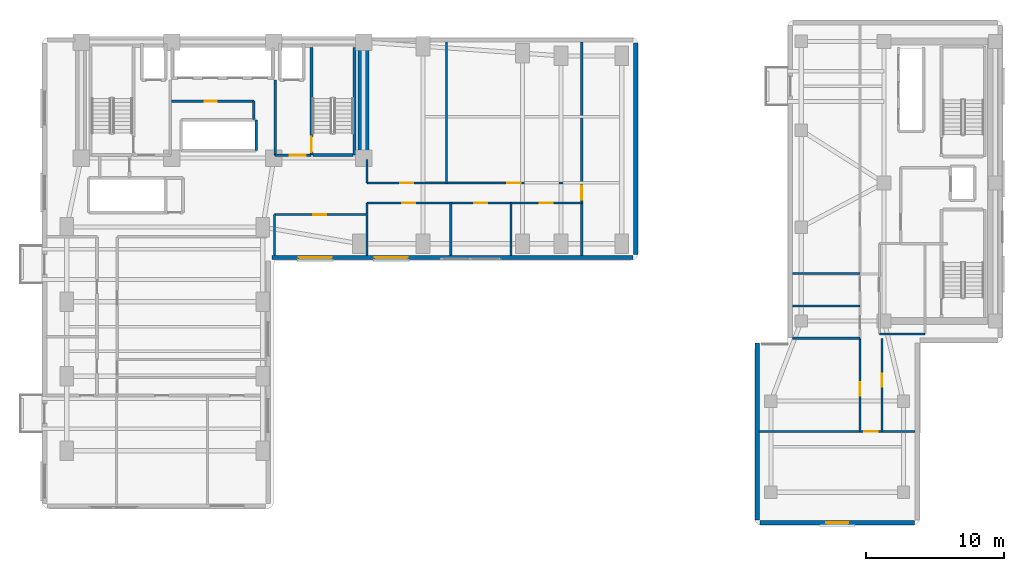
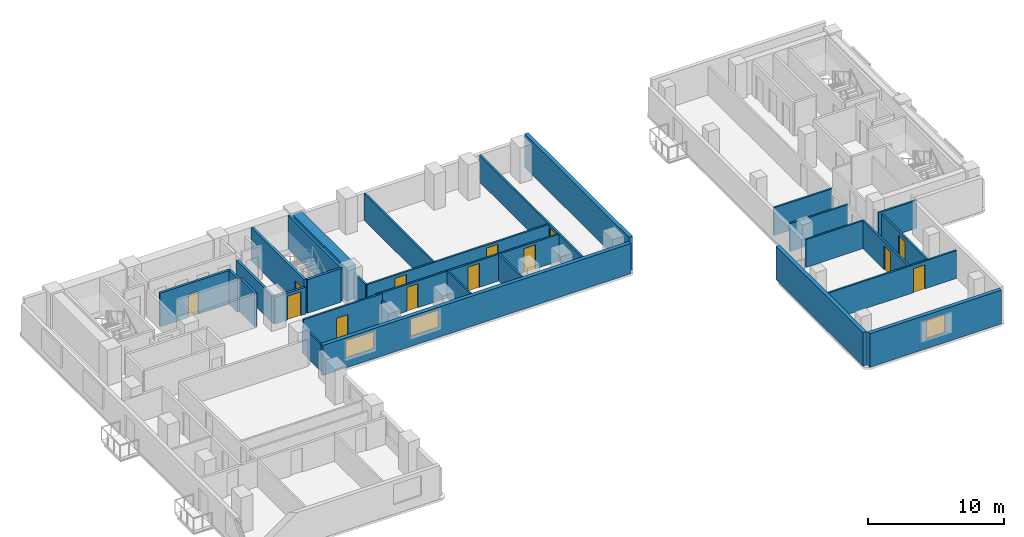
# One storey, part 10 of 15: 30 walls, 13 doors, 3 windows, 16 openings.
"""IFC4 building model written with IfcOpenShell, lengths in metres."""

from ifc_helpers import new_model, si_unit, direction, frame, frame_2d, origin, place, context, subcontext, project, spatial, rectangle, extrude, material, layer, layer_set, type_object, element, fill, save


model = new_model("IFC4")

# Units and contexts
model_context = context("Model", 3, precision=1e-05, world=origin(), true_north=direction((0.0, 1.0)))
body_context = subcontext(model_context, "Body", "Model", "MODEL_VIEW")
ifc_project = project(units=[si_unit("LENGTHUNIT", "METRE"), si_unit("AREAUNIT", "SQUARE_METRE"), si_unit("VOLUMEUNIT", "CUBIC_METRE"), si_unit("PLANEANGLEUNIT", "RADIAN"), si_unit("MASSUNIT", "GRAM", prefix="KILO")], contexts=[model_context])

# Site, building, storey
site_placement = place(None, origin())
site = spatial("IfcSite", under=ifc_project, at=site_placement, CompositionType="ELEMENT")
building_placement = place(site_placement, origin())
building = spatial("IfcBuilding", under=site, at=building_placement, Name="Kuzgunbayir Cultural Tower", CompositionType="ELEMENT")
storey_placement = place(building_placement, frame((0.0, 0.0, 59.60009765625)))
storey = spatial("IfcBuildingStorey", under=building, at=storey_placement, Name="L16", CompositionType="ELEMENT", Elevation=59.60009765625)

# Wall
ifc_material_1 = material(Name="Concrete C60/75", Category="concrete")
ifc_layer_1 = layer(ifc_material_1, 0.800048828125)
ifc_layer_set_1 = layer_set([ifc_layer_1], Name="Concrete C60/75")
wall_type_1 = type_object("IfcWallType", Name="WAL-CORE-800", PredefinedType="SHEAR", material=ifc_layer_set_1)
wall_1_placement = place(storey_placement, frame((26.89990234375, 33.800048828125, 0.0), z_axis=(0.0, 0.0, 1.0), x_axis=(0.0, 1.0, 0.0)))
element("IfcWall", 1, at=wall_1_placement, inside=storey, type_object=wall_type_1, Name="L16 T1 Core East Shear Wall", PredefinedType="SHEAR", context=body_context, shape_type="SweptSolid", body=[
    extrude(rectangle(XDim=7.949951171875, YDim=0.800048828125, at=frame_2d((3.97509765625, 0.0))), origin(), (0.0, 0.0, 1.0), 3.02001953125),
])

# Wall, openings, windows
ifc_material_2 = material(Name="Travertine Buff Ashlar", Category="masonry")
ifc_layer_2 = layer(ifc_material_2, 0.320068359375)
ifc_layer_set_2 = layer_set([ifc_layer_2], Name="Travertine Buff Ashlar")
wall_type_2 = type_object("IfcWallType", Name="WAL-EXT-STONE-320", PredefinedType="STANDARD", material=ifc_layer_set_2)
wall_2_placement = place(storey_placement, frame((20.25, 26.60009765625, 0.0), z_axis=(0.0, 0.0, 1.0), x_axis=(1.0, 0.0, 0.0)))
wall_2 = element("IfcWall", 2, at=wall_2_placement, inside=storey, type_object=wall_type_2, Name="L16 Wing B South Limestone Wall", PredefinedType="STANDARD", context=body_context, shape_type="SweptSolid", body=[
    extrude(rectangle(XDim=26.14990234375, YDim=0.320068359375, at=frame_2d((13.074951171875, 0.0))), origin(), (0.0, 0.0, 1.0), 2.699951171875),
])
opening_1_placement = place(wall_2_placement, frame((1.949951171875, 0.0, 0.85009765625)))
opening_1 = element("IfcOpeningElement", 3, at=opening_1_placement, cuts=wall_2, Name="Opening WO-24", PredefinedType="OPENING", context=body_context, shape_type="SweptSolid", body=[
    extrude(rectangle(XDim=2.39990234375, YDim=1.60009765625, at=frame_2d((1.199951171875, 0.800048828125))), frame((0.0, 0.169921875, 0.0), z_axis=(0.0, -1.0, 0.0), x_axis=(1.0, 0.0, 0.0)), (0.0, 0.0, 1.0), 0.340087890625),
])
opening_2_placement = place(wall_2_placement, frame((7.449951171875, 0.0, 0.85009765625)))
opening_2 = element("IfcOpeningElement", 4, at=opening_2_placement, cuts=wall_2, Name="Opening WO-24", PredefinedType="OPENING", context=body_context, shape_type="SweptSolid", body=[
    extrude(rectangle(XDim=2.39990234375, YDim=1.60009765625, at=frame_2d((1.199951171875, 0.800048828125))), frame((0.0, 0.169921875, 0.0), z_axis=(0.0, -1.0, 0.0), x_axis=(1.0, 0.0, 0.0)), (0.0, 0.0, 1.0), 0.340087890625),
])
ifc_material_3 = material(Name="Solar-Control Triple Glazing", Category="glass")
window_type_1 = type_object("IfcWindowType", Name="WIN-OFFICE-24", PartitioningType="SINGLE_PANEL", PredefinedType="WINDOW", material=ifc_material_3)
window_1_placement = place(opening_1_placement, origin())
window_1 = element("IfcWindow", 5, at=window_1_placement, inside=storey, type_object=window_type_1, Name="L16 WBS Facade Window 7", OverallHeight=1.60009765625, OverallWidth=2.39990234375, PartitioningType="SINGLE_PANEL", PredefinedType="WINDOW", context=body_context, shape_type="SweptSolid", body=[
    extrude(rectangle(XDim=2.39990234375, YDim=1.60009765625, at=frame_2d((1.199951171875, 0.800048828125))), frame((0.0, 0.030029296875, 0.0), z_axis=(0.0, -1.0, 0.0), x_axis=(1.0, 0.0, 0.0)), (0.0, 0.0, 1.0), 0.06005859375),
])
fill(opening_1, window_1)
window_2_placement = place(opening_2_placement, origin())
window_2 = element("IfcWindow", 6, at=window_2_placement, inside=storey, type_object=window_type_1, Name="L16 WBS Facade Window 8", OverallHeight=1.60009765625, OverallWidth=2.39990234375, PartitioningType="SINGLE_PANEL", PredefinedType="WINDOW", context=body_context, shape_type="SweptSolid", body=[
    extrude(rectangle(XDim=2.39990234375, YDim=1.60009765625, at=frame_2d((1.199951171875, 0.800048828125))), frame((0.0, 0.030029296875, 0.0), z_axis=(0.0, -1.0, 0.0), x_axis=(1.0, 0.0, 0.0)), (0.0, 0.0, 1.0), 0.06005859375),
])
fill(opening_2, window_2)

# Wall
wall_3_placement = place(storey_placement, frame((46.60009765625, 26.800048828125, 0.0), z_axis=(0.0, 0.0, 1.0), x_axis=(0.0, 1.0, 0.0)))
element("IfcWall", 7, at=wall_3_placement, inside=storey, type_object=wall_type_2, Name="L16 Wing B East Limestone Wall", PredefinedType="STANDARD", context=body_context, shape_type="SweptSolid", body=[
    extrude(rectangle(XDim=15.349853515625, YDim=0.320068359375, at=frame_2d((7.6748046875, 0.0))), origin(), (0.0, 0.0, 1.0), 3.02001953125),
])

# Wall, opening, window
wall_4_placement = place(storey_placement, frame((55.60009765625, 7.39990234375, 0.0), z_axis=(0.0, 0.0, 1.0), x_axis=(1.0, 0.0, 0.0)))
wall_4 = element("IfcWall", 8, at=wall_4_placement, inside=storey, type_object=wall_type_2, Name="L16 Companion Wing B South Wall", PredefinedType="STANDARD", context=body_context, shape_type="SweptSolid", body=[
    extrude(rectangle(XDim=11.199951171875, YDim=0.320068359375, at=frame_2d((5.60009765625, 0.0))), origin(), (0.0, 0.0, 1.0), 3.02001953125),
])
opening_3_placement = place(wall_4_placement, frame((4.800048828125, 0.0, 0.85009765625)))
opening_3 = element("IfcOpeningElement", 9, at=opening_3_placement, cuts=wall_4, Name="Opening WC-16", PredefinedType="OPENING", context=body_context, shape_type="SweptSolid", body=[
    extrude(rectangle(XDim=1.60009765625, YDim=1.699951171875, at=frame_2d((0.800048828125, 0.85009765625))), frame((0.0, 0.169921875, 0.0), z_axis=(0.0, -1.0, 0.0), x_axis=(1.0, 0.0, 0.0)), (0.0, 0.0, 1.0), 0.340087890625),
])
window_type_2 = type_object("IfcWindowType", Name="WIN-COMP-16", PartitioningType="SINGLE_PANEL", PredefinedType="WINDOW", material=ifc_material_3)
window_3_placement = place(opening_3_placement, origin())
window_3 = element("IfcWindow", 10, at=window_3_placement, inside=storey, type_object=window_type_2, Name="L16 Companion South Window", OverallHeight=1.699951171875, OverallWidth=1.60009765625, PartitioningType="SINGLE_PANEL", PredefinedType="WINDOW", context=body_context, shape_type="SweptSolid", body=[
    extrude(rectangle(XDim=1.60009765625, YDim=1.699951171875, at=frame_2d((0.800048828125, 0.85009765625))), frame((0.0, 0.030029296875, 0.0), z_axis=(0.0, -1.0, 0.0), x_axis=(1.0, 0.0, 0.0)), (0.0, 0.0, 1.0), 0.06005859375),
])
fill(opening_3, window_3)

# Wall
wall_5_placement = place(storey_placement, frame((55.39990234375, 20.39990234375, 0.0), z_axis=(0.0, 0.0, 1.0), x_axis=(0.0, -1.0, 0.0)))
element("IfcWall", 11, at=wall_5_placement, inside=storey, type_object=wall_type_2, Name="L16 Companion Wing B West Wall", PredefinedType="STANDARD", context=body_context, shape_type="SweptSolid", body=[
    extrude(rectangle(XDim=12.7998046875, YDim=0.320068359375, at=frame_2d((6.39990234375, 0.0))), origin(), (0.0, 0.0, 1.0), 3.02001953125),
])

# Wall, opening, door
ifc_material_4 = material(Name="Acoustic Double-Stud Drywall", Category="gypsum")
ifc_layer_3 = layer(ifc_material_4, 0.14990234375)
ifc_layer_set_3 = layer_set([ifc_layer_3], Name="Acoustic Double-Stud Drywall")
wall_type_3 = type_object("IfcWallType", Name="WAL-PART-ACOUSTIC-150", PredefinedType="PARTITIONING", material=ifc_layer_set_3)
wall_6_placement = place(storey_placement, frame((20.449951171875, 29.699951171875, 0.0), z_axis=(0.0, 0.0, 1.0), x_axis=(1.0, 0.0, 0.0)))
wall_6 = element("IfcWall", 12, at=wall_6_placement, inside=storey, type_object=wall_type_3, Name="L16 Waist Alcove North Wall", PredefinedType="PARTITIONING", context=body_context, shape_type="SweptSolid", body=[
    extrude(rectangle(XDim=6.699951171875, YDim=0.14990234375, at=frame_2d((3.35009765625, 0.0))), origin(), (0.0, 0.0, 1.0), 3.02001953125),
])
opening_4_placement = place(wall_6_placement, frame((2.800048828125, 0.0, 0.0)))
opening_4 = element("IfcOpeningElement", 13, at=opening_4_placement, cuts=wall_6, Name="Opening DI-90", PredefinedType="OPENING", context=body_context, shape_type="SweptSolid", body=[
    extrude(rectangle(XDim=0.949951171875, YDim=2.14990234375, at=frame_2d((0.47509765625, 1.074951171875))), frame((0.0, 0.0849609375, 0.0), z_axis=(0.0, -1.0, 0.0), x_axis=(1.0, 0.0, 0.0)), (0.0, 0.0, 1.0), 0.169921875),
])
ifc_material_5 = material(Name="Veneered Oak Single Leaf", Category="wood")
door_type_1 = type_object("IfcDoorType", Name="DR-INT-90", OperationType="NOTDEFINED", PredefinedType="DOOR", material=ifc_material_5)
door_1_placement = place(opening_4_placement, origin())
door_1 = element("IfcDoor", 14, at=door_1_placement, inside=storey, type_object=door_type_1, Name="L16 Waist Alcove Door", OperationType="SINGLE_SWING_RIGHT", OverallHeight=2.14990234375, OverallWidth=0.949951171875, PredefinedType="DOOR", context=body_context, shape_type="SweptSolid", body=[
    extrude(rectangle(XDim=0.949951171875, YDim=2.14990234375, at=frame_2d((0.47509765625, 1.074951171875))), frame((0.0, 0.02490234375, 0.0), z_axis=(0.0, -1.0, 0.0), x_axis=(1.0, 0.0, 0.0)), (0.0, 0.0, 1.0), 0.050048828125),
])
fill(opening_4, door_1)

# Walls
wall_7_placement = place(storey_placement, frame((20.449951171875, 26.75, 0.0), z_axis=(0.0, 0.0, 1.0), x_axis=(0.0, 1.0, 0.0)))
element("IfcWall", 15, at=wall_7_placement, inside=storey, type_object=wall_type_3, Name="L16 Waist Alcove West Wall", PredefinedType="PARTITIONING", context=body_context, shape_type="SweptSolid", body=[
    extrude(rectangle(XDim=2.949951171875, YDim=0.14990234375, at=frame_2d((1.47509765625, 0.0))), origin(), (0.0, 0.0, 1.0), 2.409912109375),
])
wall_8_placement = place(storey_placement, frame((27.14990234375, 26.75, 0.0), z_axis=(0.0, 0.0, 1.0), x_axis=(0.0, 1.0, 0.0)))
element("IfcWall", 16, at=wall_8_placement, inside=storey, type_object=wall_type_3, Name="L16 Waist Alcove East Wall", PredefinedType="PARTITIONING", context=body_context, shape_type="SweptSolid", body=[
    extrude(rectangle(XDim=3.800048828125, YDim=0.14990234375, at=frame_2d((1.89990234375, 0.0))), origin(), (0.0, 0.0, 1.0), 2.409912109375),
])

# Wall, openings, doors
wall_9_placement = place(storey_placement, frame((27.14990234375, 30.550048828125, 0.0), z_axis=(0.0, 0.0, 1.0), x_axis=(1.0, 0.0, 0.0)))
wall_9 = element("IfcWall", 17, at=wall_9_placement, inside=storey, type_object=wall_type_3, Name="L16 Wing B Corridor South Wall", PredefinedType="PARTITIONING", context=body_context, shape_type="SweptSolid", body=[
    extrude(rectangle(XDim=15.550048828125, YDim=0.14990234375, at=frame_2d((7.77490234375, 0.0))), origin(), (0.0, 0.0, 1.0), 2.409912109375),
])
opening_5_placement = place(wall_9_placement, frame((2.550048828125, 0.0, 0.0)))
opening_5 = element("IfcOpeningElement", 18, at=opening_5_placement, cuts=wall_9, Name="Opening DI-90", PredefinedType="OPENING", context=body_context, shape_type="SweptSolid", body=[
    extrude(rectangle(XDim=0.949951171875, YDim=2.14990234375, at=frame_2d((0.47509765625, 1.074951171875))), frame((0.0, 0.0849609375, 0.0), z_axis=(0.0, -1.0, 0.0), x_axis=(1.0, 0.0, 0.0)), (0.0, 0.0, 1.0), 0.169921875),
])
opening_6_placement = place(wall_9_placement, frame((7.760009765625, 0.0, 0.0)))
opening_6 = element("IfcOpeningElement", 19, at=opening_6_placement, cuts=wall_9, Name="Opening DI-90", PredefinedType="OPENING", context=body_context, shape_type="SweptSolid", body=[
    extrude(rectangle(XDim=0.949951171875, YDim=2.14990234375, at=frame_2d((0.47509765625, 1.074951171875))), frame((0.0, 0.0849609375, 0.0), z_axis=(0.0, -1.0, 0.0), x_axis=(1.0, 0.0, 0.0)), (0.0, 0.0, 1.0), 0.169921875),
])
opening_7_placement = place(wall_9_placement, frame((12.510009765625, 0.0, 0.0)))
opening_7 = element("IfcOpeningElement", 20, at=opening_7_placement, cuts=wall_9, Name="Opening DI-90", PredefinedType="OPENING", context=body_context, shape_type="SweptSolid", body=[
    extrude(rectangle(XDim=0.949951171875, YDim=2.14990234375, at=frame_2d((0.47509765625, 1.074951171875))), frame((0.0, 0.0849609375, 0.0), z_axis=(0.0, -1.0, 0.0), x_axis=(1.0, 0.0, 0.0)), (0.0, 0.0, 1.0), 0.169921875),
])
door_2_placement = place(opening_5_placement, origin())
door_2 = element("IfcDoor", 21, at=door_2_placement, inside=storey, type_object=door_type_1, Name="L16 Wing B Culinary Tasting Pantry 1 Door", OperationType="SINGLE_SWING_RIGHT", OverallHeight=2.14990234375, OverallWidth=0.949951171875, PredefinedType="DOOR", context=body_context, shape_type="SweptSolid", body=[
    extrude(rectangle(XDim=0.949951171875, YDim=2.14990234375, at=frame_2d((0.47509765625, 1.074951171875))), frame((0.0, 0.02490234375, 0.0), z_axis=(0.0, -1.0, 0.0), x_axis=(1.0, 0.0, 0.0)), (0.0, 0.0, 1.0), 0.050048828125),
])
fill(opening_5, door_2)
door_3_placement = place(opening_6_placement, origin())
door_3 = element("IfcDoor", 22, at=door_3_placement, inside=storey, type_object=door_type_1, Name="L16 Wing B Art Publication Salon 2 Door", OperationType="SINGLE_SWING_LEFT", OverallHeight=2.14990234375, OverallWidth=0.949951171875, PredefinedType="DOOR", context=body_context, shape_type="SweptSolid", body=[
    extrude(rectangle(XDim=0.949951171875, YDim=2.14990234375, at=frame_2d((0.47509765625, 1.074951171875))), frame((0.0, 0.02490234375, 0.0), z_axis=(0.0, -1.0, 0.0), x_axis=(1.0, 0.0, 0.0)), (0.0, 0.0, 1.0), 0.050048828125),
])
fill(opening_6, door_3)
door_4_placement = place(opening_7_placement, origin())
door_4 = element("IfcDoor", 23, at=door_4_placement, inside=storey, type_object=door_type_1, Name="L16 Wing B Culinary Tasting Pantry 3 Door", OperationType="SINGLE_SWING_RIGHT", OverallHeight=2.14990234375, OverallWidth=0.949951171875, PredefinedType="DOOR", context=body_context, shape_type="SweptSolid", body=[
    extrude(rectangle(XDim=0.949951171875, YDim=2.14990234375, at=frame_2d((0.47509765625, 1.074951171875))), frame((0.0, 0.02490234375, 0.0), z_axis=(0.0, -1.0, 0.0), x_axis=(1.0, 0.0, 0.0)), (0.0, 0.0, 1.0), 0.050048828125),
])
fill(opening_7, door_4)

wall_10_placement = place(storey_placement, frame((27.14990234375, 32.0, 0.0), z_axis=(0.0, 0.0, 1.0), x_axis=(1.0, 0.0, 0.0)))
wall_10 = element("IfcWall", 24, at=wall_10_placement, inside=storey, type_object=wall_type_3, Name="L16 Wing B Corridor North Wall", PredefinedType="PARTITIONING", context=body_context, shape_type="SweptSolid", body=[
    extrude(rectangle(XDim=15.550048828125, YDim=0.14990234375, at=frame_2d((7.77490234375, 0.0))), origin(), (0.0, 0.0, 1.0), 2.409912109375),
])
opening_8_placement = place(wall_10_placement, frame((2.39990234375, 0.0, 0.0)))
opening_8 = element("IfcOpeningElement", 25, at=opening_8_placement, cuts=wall_10, Name="Opening DI-90", PredefinedType="OPENING", context=body_context, shape_type="SweptSolid", body=[
    extrude(rectangle(XDim=0.949951171875, YDim=2.14990234375, at=frame_2d((0.47509765625, 1.074951171875))), frame((0.0, 0.0849609375, 0.0), z_axis=(0.0, -1.0, 0.0), x_axis=(1.0, 0.0, 0.0)), (0.0, 0.0, 1.0), 0.169921875),
])
opening_9_placement = place(wall_10_placement, frame((10.169921875, 0.0, 0.0)))
opening_9 = element("IfcOpeningElement", 26, at=opening_9_placement, cuts=wall_10, Name="Opening DI-90", PredefinedType="OPENING", context=body_context, shape_type="SweptSolid", body=[
    extrude(rectangle(XDim=0.949951171875, YDim=2.14990234375, at=frame_2d((0.47509765625, 1.074951171875))), frame((0.0, 0.0849609375, 0.0), z_axis=(0.0, -1.0, 0.0), x_axis=(1.0, 0.0, 0.0)), (0.0, 0.0, 1.0), 0.169921875),
])
door_5_placement = place(opening_8_placement, origin())
door_5 = element("IfcDoor", 27, at=door_5_placement, inside=storey, type_object=door_type_1, Name="L16 Wing B North Culinary Tasting Pantry 1 Door", OperationType="SINGLE_SWING_LEFT", OverallHeight=2.14990234375, OverallWidth=0.949951171875, PredefinedType="DOOR", context=body_context, shape_type="SweptSolid", body=[
    extrude(rectangle(XDim=0.949951171875, YDim=2.14990234375, at=frame_2d((0.47509765625, 1.074951171875))), frame((0.0, 0.02490234375, 0.0), z_axis=(0.0, -1.0, 0.0), x_axis=(1.0, 0.0, 0.0)), (0.0, 0.0, 1.0), 0.050048828125),
])
fill(opening_8, door_5)
door_6_placement = place(opening_9_placement, origin())
door_6 = element("IfcDoor", 28, at=door_6_placement, inside=storey, type_object=door_type_1, Name="L16 Wing B North Fellows Reading Lounge 2 Door", OperationType="SINGLE_SWING_RIGHT", OverallHeight=2.14990234375, OverallWidth=0.949951171875, PredefinedType="DOOR", context=body_context, shape_type="SweptSolid", body=[
    extrude(rectangle(XDim=0.949951171875, YDim=2.14990234375, at=frame_2d((0.47509765625, 1.074951171875))), frame((0.0, 0.02490234375, 0.0), z_axis=(0.0, -1.0, 0.0), x_axis=(1.0, 0.0, 0.0)), (0.0, 0.0, 1.0), 0.050048828125),
])
fill(opening_9, door_6)

# Wall
wall_11_placement = place(storey_placement, frame((27.14990234375, 32.0, 0.0), z_axis=(0.0, 0.0, 1.0), x_axis=(0.0, 1.0, 0.0)))
element("IfcWall", 29, at=wall_11_placement, inside=storey, type_object=wall_type_3, Name="L16 Wing B North Core Closure Wall", PredefinedType="PARTITIONING", context=body_context, shape_type="SweptSolid", body=[
    extrude(rectangle(XDim=1.679931640625, YDim=0.14990234375, at=frame_2d((0.83984375, 0.0))), origin(), (0.0, 0.0, 1.0), 2.409912109375),
])

# Wall, opening, door
wall_12_placement = place(storey_placement, frame((42.699951171875, 26.75, 0.0), z_axis=(0.0, 0.0, 1.0), x_axis=(0.0, 1.0, 0.0)))
wall_12 = element("IfcWall", 30, at=wall_12_placement, inside=storey, type_object=wall_type_3, Name="L16 Wing B East Suite Wall", PredefinedType="PARTITIONING", context=body_context, shape_type="SweptSolid", body=[
    extrude(rectangle(XDim=15.449951171875, YDim=0.14990234375, at=frame_2d((7.72509765625, 0.0))), origin(), (0.0, 0.0, 1.0), 2.409912109375),
])
opening_10_placement = place(wall_12_placement, frame((4.030029296875, 0.0, 0.0)))
opening_10 = element("IfcOpeningElement", 31, at=opening_10_placement, cuts=wall_12, Name="Opening DI-100", PredefinedType="OPENING", context=body_context, shape_type="SweptSolid", body=[
    extrude(rectangle(XDim=1.0, YDim=2.14990234375, at=frame_2d((0.5, 1.074951171875))), frame((0.0, 0.0849609375, 0.0), z_axis=(0.0, -1.0, 0.0), x_axis=(1.0, 0.0, 0.0)), (0.0, 0.0, 1.0), 0.169921875),
])
door_type_2 = type_object("IfcDoorType", Name="DR-INT-100", OperationType="NOTDEFINED", PredefinedType="DOOR", material=ifc_material_5)
door_7_placement = place(opening_10_placement, origin())
door_7 = element("IfcDoor", 32, at=door_7_placement, inside=storey, type_object=door_type_2, Name="L16 East Conference Hall Door", OperationType="SINGLE_SWING_LEFT", OverallHeight=2.14990234375, OverallWidth=1.0, PredefinedType="DOOR", context=body_context, shape_type="SweptSolid", body=[
    extrude(rectangle(XDim=1.0, YDim=2.14990234375, at=frame_2d((0.5, 1.074951171875))), frame((0.0, 0.02490234375, 0.0), z_axis=(0.0, -1.0, 0.0), x_axis=(1.0, 0.0, 0.0)), (0.0, 0.0, 1.0), 0.050048828125),
])
fill(opening_10, door_7)

# Walls
for number, where, z_axis, x_axis, name in (
    (33, (33.2099609375, 26.75, 0.0), (0.0, 0.0, 1.0), (0.0, 1.0, 0.0), "L16 Wing B South Partition 1"),
    (34, (37.570068359375, 26.75, 0.0), (0.0, 0.0, 1.0), (0.0, 1.0, 0.0), "L16 Wing B South Partition 2"),
):
    element("IfcWall", number, at=place(storey_placement, frame(where, z_axis=z_axis, x_axis=x_axis)), inside=storey, type_object=wall_type_3, Name=name, PredefinedType="PARTITIONING", context=body_context, shape_type="SweptSolid", body=[
        extrude(rectangle(XDim=3.800048828125, YDim=0.14990234375, at=frame_2d((1.89990234375, 0.0))), origin(), (0.0, 0.0, 1.0), 2.409912109375),
    ])
wall_13_placement = place(storey_placement, frame((32.89990234375, 32.0, 0.0), z_axis=(0.0, 0.0, 1.0), x_axis=(0.0, 1.0, 0.0)))
element("IfcWall", 35, at=wall_13_placement, inside=storey, type_object=wall_type_3, Name="L16 Wing B North Partition 1", PredefinedType="PARTITIONING", context=body_context, shape_type="SweptSolid", body=[
    extrude(rectangle(XDim=10.199951171875, YDim=0.14990234375, at=frame_2d((5.10009765625, 0.0))), origin(), (0.0, 0.0, 1.0), 2.409912109375),
])
wall_14_placement = place(storey_placement, frame((64.25, 21.050048828125, 0.0), z_axis=(0.0, 0.0, 1.0), x_axis=(1.0, 0.0, 0.0)))
element("IfcWall", 36, at=wall_14_placement, inside=storey, type_object=wall_type_3, Name="L16 Companion Archive South Wall", PredefinedType="PARTITIONING", context=body_context, shape_type="SweptSolid", body=[
    extrude(rectangle(XDim=3.300048828125, YDim=0.14990234375, at=frame_2d((1.64990234375, 0.0))), origin(), (0.0, 0.0, 1.0), 2.5),
])

# Wall, opening, door
wall_15_placement = place(storey_placement, frame((62.85009765625, 14.0, 0.0), z_axis=(0.0, 0.0, 1.0), x_axis=(0.0, 1.0, 0.0)))
wall_15 = element("IfcWall", 37, at=wall_15_placement, inside=storey, type_object=wall_type_3, Name="L16 Companion South Corridor West Wall", PredefinedType="PARTITIONING", context=body_context, shape_type="SweptSolid", body=[
    extrude(rectangle(XDim=6.75, YDim=0.14990234375, at=frame_2d((3.375, 0.0))), origin(), (0.0, 0.0, 1.0), 2.5),
])
opening_11_placement = place(wall_15_placement, frame((2.60009765625, 0.0, 0.0)))
opening_11 = element("IfcOpeningElement", 38, at=opening_11_placement, cuts=wall_15, Name="Opening DI-90", PredefinedType="OPENING", context=body_context, shape_type="SweptSolid", body=[
    extrude(rectangle(XDim=0.949951171875, YDim=2.14990234375, at=frame_2d((0.47509765625, 1.074951171875))), frame((0.0, 0.0849609375, 0.0), z_axis=(0.0, -1.0, 0.0), x_axis=(1.0, 0.0, 0.0)), (0.0, 0.0, 1.0), 0.169921875),
])
door_8_placement = place(opening_11_placement, origin())
door_8 = element("IfcDoor", 39, at=door_8_placement, inside=storey, type_object=door_type_1, Name="L16 Companion West Atelier Door", OperationType="SINGLE_SWING_LEFT", OverallHeight=2.14990234375, OverallWidth=0.949951171875, PredefinedType="DOOR", context=body_context, shape_type="SweptSolid", body=[
    extrude(rectangle(XDim=0.949951171875, YDim=2.14990234375, at=frame_2d((0.47509765625, 1.074951171875))), frame((0.0, 0.02490234375, 0.0), z_axis=(0.0, -1.0, 0.0), x_axis=(1.0, 0.0, 0.0)), (0.0, 0.0, 1.0), 0.050048828125),
])
fill(opening_11, door_8)

wall_16_placement = place(storey_placement, frame((55.550048828125, 14.0, 0.0), z_axis=(0.0, 0.0, 1.0), x_axis=(1.0, 0.0, 0.0)))
wall_16 = element("IfcWall", 40, at=wall_16_placement, inside=storey, type_object=wall_type_3, Name="L16 Companion South Gallery Wall", PredefinedType="PARTITIONING", context=body_context, shape_type="SweptSolid", body=[
    extrude(rectangle(XDim=11.300048828125, YDim=0.14990234375, at=frame_2d((5.64990234375, 0.0))), origin(), (0.0, 0.0, 1.0), 2.5),
])
opening_12_placement = place(wall_16_placement, frame((7.60009765625, 0.0, 0.0)))
opening_12 = element("IfcOpeningElement", 41, at=opening_12_placement, cuts=wall_16, Name="Opening DI-100", PredefinedType="OPENING", context=body_context, shape_type="SweptSolid", body=[
    extrude(rectangle(XDim=1.0, YDim=2.14990234375, at=frame_2d((0.5, 1.074951171875))), frame((0.0, 0.0849609375, 0.0), z_axis=(0.0, -1.0, 0.0), x_axis=(1.0, 0.0, 0.0)), (0.0, 0.0, 1.0), 0.169921875),
])
door_9_placement = place(opening_12_placement, origin())
door_9 = element("IfcDoor", 42, at=door_9_placement, inside=storey, type_object=door_type_2, Name="L16 Companion South Salon Door", OperationType="SINGLE_SWING_LEFT", OverallHeight=2.14990234375, OverallWidth=1.0, PredefinedType="DOOR", context=body_context, shape_type="SweptSolid", body=[
    extrude(rectangle(XDim=1.0, YDim=2.14990234375, at=frame_2d((0.5, 1.074951171875))), frame((0.0, 0.02490234375, 0.0), z_axis=(0.0, -1.0, 0.0), x_axis=(1.0, 0.0, 0.0)), (0.0, 0.0, 1.0), 0.050048828125),
])
fill(opening_12, door_9)

wall_17_placement = place(storey_placement, frame((64.449951171875, 14.0, 0.0), z_axis=(0.0, 0.0, 1.0), x_axis=(0.0, 1.0, 0.0)))
wall_17 = element("IfcWall", 43, at=wall_17_placement, inside=storey, type_object=wall_type_3, Name="L16 Companion South Corridor East Wall", PredefinedType="PARTITIONING", context=body_context, shape_type="SweptSolid", body=[
    extrude(rectangle(XDim=6.75, YDim=0.14990234375, at=frame_2d((3.375, 0.0))), origin(), (0.0, 0.0, 1.0), 2.5),
])
opening_13_placement = place(wall_17_placement, frame((3.239990234375, 0.0, 0.0)))
opening_13 = element("IfcOpeningElement", 44, at=opening_13_placement, cuts=wall_17, Name="Opening DI-90", PredefinedType="OPENING", context=body_context, shape_type="SweptSolid", body=[
    extrude(rectangle(XDim=0.949951171875, YDim=2.14990234375, at=frame_2d((0.47509765625, 1.074951171875))), frame((0.0, 0.0849609375, 0.0), z_axis=(0.0, -1.0, 0.0), x_axis=(1.0, 0.0, 0.0)), (0.0, 0.0, 1.0), 0.169921875),
])
door_10_placement = place(opening_13_placement, origin())
door_10 = element("IfcDoor", 45, at=door_10_placement, inside=storey, type_object=door_type_1, Name="L16 Companion East Studio Door", OperationType="SINGLE_SWING_RIGHT", OverallHeight=2.14990234375, OverallWidth=0.949951171875, PredefinedType="DOOR", context=body_context, shape_type="SweptSolid", body=[
    extrude(rectangle(XDim=0.949951171875, YDim=2.14990234375, at=frame_2d((0.47509765625, 1.074951171875))), frame((0.0, 0.02490234375, 0.0), z_axis=(0.0, -1.0, 0.0), x_axis=(1.0, 0.0, 0.0)), (0.0, 0.0, 1.0), 0.050048828125),
])
fill(opening_13, door_10)

# Wall
ifc_material_6 = material(Name="Aerated Concrete Blockwork", Category="masonry")
ifc_layer_4 = layer(ifc_material_6, 0.199951171875)
ifc_layer_set_4 = layer_set([ifc_layer_4], Name="Aerated Concrete Blockwork")
wall_type_4 = type_object("IfcWallType", Name="WAL-PART-FIRE-200", PredefinedType="PARTITIONING", material=ifc_layer_set_4)
wall_18_placement = place(storey_placement, frame((20.5, 34.0, 0.0), z_axis=(0.0, 0.0, 1.0), x_axis=(0.0, 1.0, 0.0)))
element("IfcWall", 46, at=wall_18_placement, inside=storey, type_object=wall_type_4, Name="L16 FFL-2 Lobby West Fire Wall", PredefinedType="PARTITIONING", context=body_context, shape_type="SweptSolid", body=[
    extrude(rectangle(XDim=5.449951171875, YDim=0.199951171875, at=frame_2d((2.72509765625, 0.0))), origin(), (0.0, 0.0, 1.0), 2.409912109375),
])

# Wall, opening, door
wall_19_placement = place(storey_placement, frame((20.5, 34.0, 0.0), z_axis=(0.0, 0.0, 1.0), x_axis=(1.0, 0.0, 0.0)))
wall_19 = element("IfcWall", 47, at=wall_19_placement, inside=storey, type_object=wall_type_4, Name="L16 FFL-2 Lobby South Fire Wall", PredefinedType="PARTITIONING", context=body_context, shape_type="SweptSolid", body=[
    extrude(rectangle(XDim=2.60009765625, YDim=0.199951171875, at=frame_2d((1.300048828125, 0.0))), origin(), (0.0, 0.0, 1.0), 2.409912109375),
])
opening_14_placement = place(wall_19_placement, frame((1.050048828125, 0.0, 0.0)))
opening_14 = element("IfcOpeningElement", 48, at=opening_14_placement, cuts=wall_19, Name="Opening DR-FFL-90", PredefinedType="OPENING", context=body_context, shape_type="SweptSolid", body=[
    extrude(rectangle(XDim=1.14990234375, YDim=2.14990234375, at=frame_2d((0.574951171875, 1.074951171875))), frame((0.0, 0.10986328125, 0.0), z_axis=(0.0, -1.0, 0.0), x_axis=(1.0, 0.0, 0.0)), (0.0, 0.0, 1.0), 0.219970703125),
])
ifc_material_7 = material(Name="Steel S355J2", Category="steel")
door_type_3 = type_object("IfcDoorType", Name="DR-FFL-90", OperationType="NOTDEFINED", PredefinedType="DOOR", material=ifc_material_7)
door_11_placement = place(opening_14_placement, origin())
door_11 = element("IfcDoor", 49, at=door_11_placement, inside=storey, type_object=door_type_3, Name="L16 Firefighting Lobby 2 Door", OperationType="SINGLE_SWING_RIGHT", OverallHeight=2.14990234375, OverallWidth=1.14990234375, PredefinedType="DOOR", context=body_context, shape_type="SweptSolid", body=[
    extrude(rectangle(XDim=1.14990234375, YDim=2.14990234375, at=frame_2d((0.574951171875, 1.074951171875))), frame((0.0, 0.02490234375, 0.0), z_axis=(0.0, -1.0, 0.0), x_axis=(1.0, 0.0, 0.0)), (0.0, 0.0, 1.0), 0.050048828125),
])
fill(opening_14, door_11)

wall_20_placement = place(storey_placement, frame((13.0, 37.919921875, 0.0), z_axis=(0.0, 0.0, 1.0), x_axis=(1.0, 0.0, 0.0)))
wall_20 = element("IfcWall", 50, at=wall_20_placement, inside=storey, type_object=wall_type_4, Name="L16 Core Comms North Wall", PredefinedType="PARTITIONING", context=body_context, shape_type="SweptSolid", body=[
    extrude(rectangle(XDim=5.949951171875, YDim=0.199951171875, at=frame_2d((2.97509765625, 0.0))), origin(), (0.0, 0.0, 1.0), 3.02001953125),
])
opening_15_placement = place(wall_20_placement, frame((2.39990234375, 0.0, 0.0)))
opening_15 = element("IfcOpeningElement", 51, at=opening_15_placement, cuts=wall_20, Name="Opening DR-RSR-60", PredefinedType="OPENING", context=body_context, shape_type="SweptSolid", body=[
    extrude(rectangle(XDim=0.85009765625, YDim=2.050048828125, at=frame_2d((0.425048828125, 1.02490234375))), frame((0.0, 0.10986328125, 0.0), z_axis=(0.0, -1.0, 0.0), x_axis=(1.0, 0.0, 0.0)), (0.0, 0.0, 1.0), 0.219970703125),
])
ifc_material_8 = material(Name="Steel Access Leaf", Category="steel")
door_type_4 = type_object("IfcDoorType", Name="DR-RISER-60", OperationType="NOTDEFINED", PredefinedType="DOOR", material=ifc_material_8)
door_12_placement = place(opening_15_placement, origin())
door_12 = element("IfcDoor", 52, at=door_12_placement, inside=storey, type_object=door_type_4, Name="L16 Core Telecom Switchroom Door", OperationType="SINGLE_SWING_LEFT", OverallHeight=2.050048828125, OverallWidth=0.85009765625, PredefinedType="DOOR", context=body_context, shape_type="SweptSolid", body=[
    extrude(rectangle(XDim=0.85009765625, YDim=2.050048828125, at=frame_2d((0.425048828125, 1.02490234375))), frame((0.0, 0.02490234375, 0.0), z_axis=(0.0, -1.0, 0.0), x_axis=(1.0, 0.0, 0.0)), (0.0, 0.0, 1.0), 0.050048828125),
])
fill(opening_15, door_12)

# Walls
wall_21_placement = place(storey_placement, frame((18.949951171875, 36.60009765625, 0.0), z_axis=(0.0, 0.0, 1.0), x_axis=(0.0, 1.0, 0.0)))
element("IfcWall", 53, at=wall_21_placement, inside=storey, type_object=wall_type_4, Name="L16 Core Comms East Wall", PredefinedType="PARTITIONING", context=body_context, shape_type="SweptSolid", body=[
    extrude(rectangle(XDim=1.31982421875, YDim=0.199951171875, at=frame_2d((0.659912109375, 0.0))), origin(), (0.0, 0.0, 1.0), 3.02001953125),
])
ifc_material_9 = material(Name="Moisture-Resistant Tile Partition", Category="gypsum")
ifc_layer_5 = layer(ifc_material_9, 0.14990234375)
ifc_layer_set_5 = layer_set([ifc_layer_5], Name="Moisture-Resistant Tile Partition")
wall_type_5 = type_object("IfcWallType", Name="WAL-PART-WET-150", PredefinedType="PARTITIONING", material=ifc_layer_set_5)
for number, where, z_axis, x_axis, name in (
    (54, (57.949951171875, 20.75, 0.0), (0.0, 0.0, 1.0), (1.0, 0.0, 0.0), "L16 Companion WC South Wall"),
    (55, (57.949951171875, 23.10009765625, 0.0), (0.0, 0.0, 1.0), (1.0, 0.0, 0.0), "L16 Companion WC North Wall"),
    (56, (57.949951171875, 25.449951171875, 0.0), (0.0, 0.0, 1.0), (1.0, 0.0, 0.0), "L16 Companion Accessible WC Wall"),
):
    element("IfcWall", number, at=place(storey_placement, frame(where, z_axis=z_axis, x_axis=x_axis)), inside=storey, type_object=wall_type_5, Name=name, PredefinedType="PARTITIONING", context=body_context, shape_type="SweptSolid", body=[
        extrude(rectangle(XDim=4.900146484375, YDim=0.14990234375, at=frame_2d((2.4501953125, 0.0))), origin(), (0.0, 0.0, 1.0), 2.5),
    ])
ifc_material_10 = material(Name="Concrete C40/50", Category="concrete")
ifc_layer_6 = layer(ifc_material_10, 0.199951171875)
ifc_layer_set_6 = layer_set([ifc_layer_6], Name="Concrete C40/50")
wall_type_6 = type_object("IfcWallType", Name="WAL-SHAFT-200", PredefinedType="MOVABLE", material=ifc_layer_set_6)
wall_22_placement = place(storey_placement, frame((19.1201171875, 34.35009765625, 0.0), z_axis=(0.0, 0.0, 1.0), x_axis=(0.0, 1.0, 0.0)))
element("IfcWall", 57, at=wall_22_placement, inside=storey, type_object=wall_type_6, Name="L16 Mid-Rise Lift Shaft East Wall", PredefinedType="MOVABLE", context=body_context, shape_type="SweptSolid", body=[
    extrude(rectangle(XDim=2.199951171875, YDim=0.199951171875, at=frame_2d((1.10009765625, 0.0))), origin(), (0.0, 0.0, 1.0), 3.02001953125),
])

# Wall, opening, door
ifc_layer_7 = layer(ifc_material_10, 0.199951171875)
ifc_layer_set_7 = layer_set([ifc_layer_7], Name="Concrete C40/50")
wall_type_7 = type_object("IfcWallType", Name="WAL-STAIR-RC-200", PredefinedType="SHEAR", material=ifc_layer_set_7)
wall_23_placement = place(storey_placement, frame((23.1201171875, 34.02001953125, 0.0), z_axis=(0.0, 0.0, 1.0), x_axis=(0.0, 1.0, 0.0)))
wall_23 = element("IfcWall", 58, at=wall_23_placement, inside=storey, type_object=wall_type_7, Name="L16 Stair ST-2 West Structural Wall", PredefinedType="SHEAR", context=body_context, shape_type="SweptSolid", body=[
    extrude(rectangle(XDim=7.780029296875, YDim=0.199951171875, at=frame_2d((3.89013671875, 0.0))), origin(), (0.0, 0.0, 1.0), 3.02001953125),
])
opening_16_placement = place(wall_23_placement, frame((0.219970703125, 0.0, 0.0)))
opening_16 = element("IfcOpeningElement", 59, at=opening_16_placement, cuts=wall_23, Name="Opening DR-STAIR-90", PredefinedType="OPENING", context=body_context, shape_type="SweptSolid", body=[
    extrude(rectangle(XDim=1.10009765625, YDim=2.14990234375, at=frame_2d((0.550048828125, 1.074951171875))), frame((0.0, 0.10986328125, 0.0), z_axis=(0.0, -1.0, 0.0), x_axis=(1.0, 0.0, 0.0)), (0.0, 0.0, 1.0), 0.219970703125),
])
door_type_5 = type_object("IfcDoorType", Name="DR-STAIR-90", OperationType="NOTDEFINED", PredefinedType="DOOR", material=ifc_material_7)
door_13_placement = place(opening_16_placement, origin())
door_13 = element("IfcDoor", 60, at=door_13_placement, inside=storey, type_object=door_type_5, Name="L16 Stair ST-2 Fire Door", OperationType="SINGLE_SWING_RIGHT", OverallHeight=2.14990234375, OverallWidth=1.10009765625, PredefinedType="DOOR", context=body_context, shape_type="SweptSolid", body=[
    extrude(rectangle(XDim=1.10009765625, YDim=2.14990234375, at=frame_2d((0.550048828125, 1.074951171875))), frame((0.0, 0.02490234375, 0.0), z_axis=(0.0, -1.0, 0.0), x_axis=(1.0, 0.0, 0.0)), (0.0, 0.0, 1.0), 0.050048828125),
])
fill(opening_16, door_13)

# Walls
wall_24_placement = place(storey_placement, frame((26.239990234375, 34.02001953125, 0.0), z_axis=(0.0, 0.0, 1.0), x_axis=(0.0, 1.0, 0.0)))
element("IfcWall", 61, at=wall_24_placement, inside=storey, type_object=wall_type_7, Name="L16 Stair ST-2 East Structural Wall", PredefinedType="SHEAR", context=body_context, shape_type="SweptSolid", body=[
    extrude(rectangle(XDim=7.780029296875, YDim=0.199951171875, at=frame_2d((3.89013671875, 0.0))), origin(), (0.0, 0.0, 1.0), 3.02001953125),
])
wall_25_placement = place(storey_placement, frame((23.239990234375, 34.02001953125, 0.0), z_axis=(0.0, 0.0, 1.0), x_axis=(1.0, 0.0, 0.0)))
element("IfcWall", 62, at=wall_25_placement, inside=storey, type_object=wall_type_7, Name="L16 Stair ST-2 South Structural Wall", PredefinedType="SHEAR", context=body_context, shape_type="SweptSolid", body=[
    extrude(rectangle(XDim=2.880126953125, YDim=0.199951171875, at=frame_2d((1.43994140625, 0.0))), origin(), (0.0, 0.0, 1.0), 3.02001953125),
])

save(model, "model.ifc")
